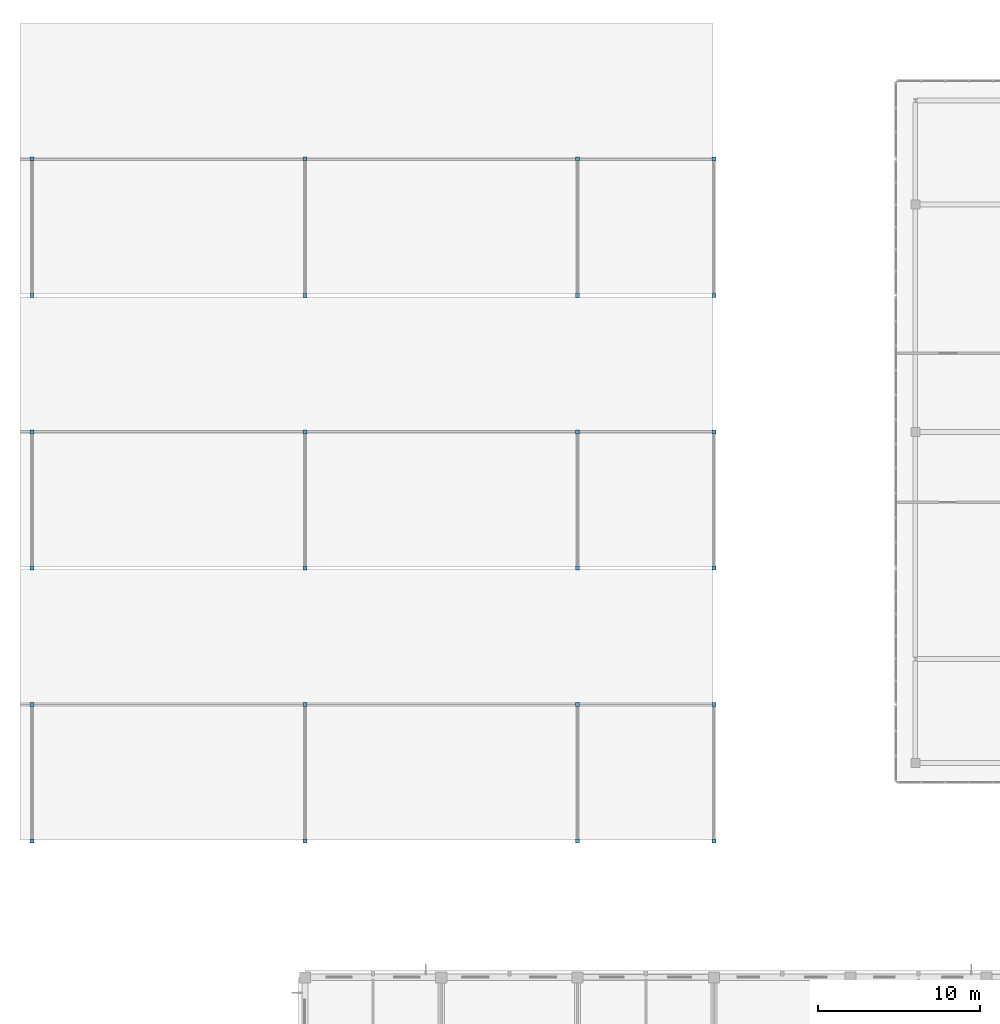
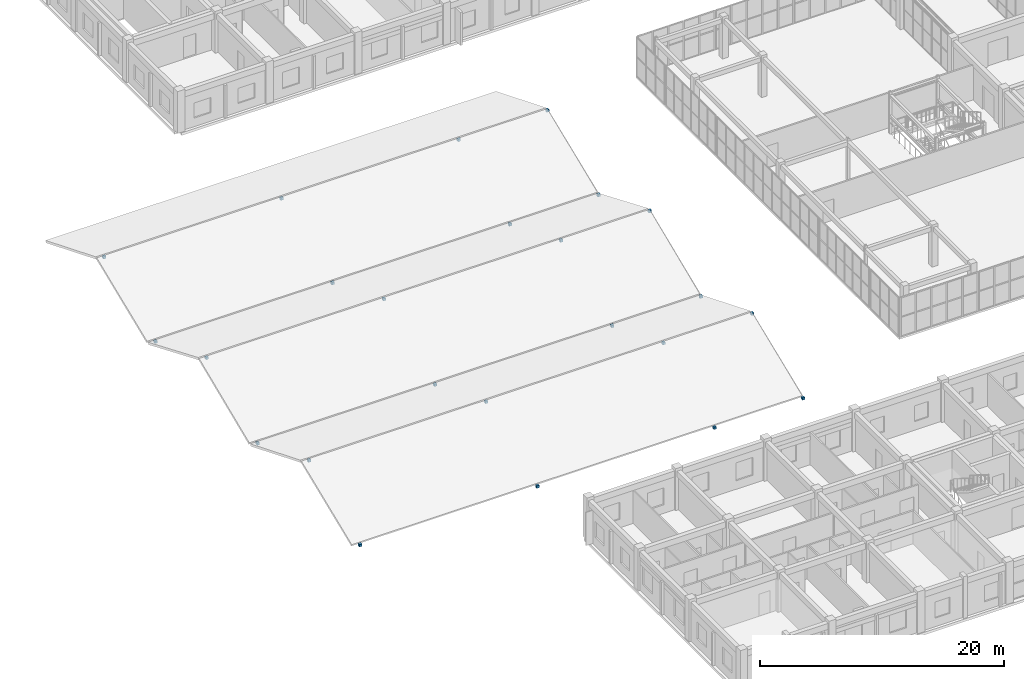
# One storey, part 127 of 140: 24 discrete accessories.
"""IFC4 building model written with IfcOpenShell, lengths in metres."""

import ifcopenshell
import ifcopenshell.guid

model = None  # the IFC model being written
_history = None  # IfcOwnerHistory: only IFC2X3 demands one
_inside = {}  # id of a spatial element -> (the spatial element, [elements in it])
_under = {}  # id of a project, library or spatial element -> (it, [spatial elements below it])
_declared = {}  # id of a project -> (the project, [libraries it declares])
_typed = {}  # id of a type object -> (the type object, [elements of that type])
_made_of = {}  # id of a material, layer set ... -> (it, [elements and type objects made of it])


def new_model(schema):
    """Start an empty IFC model of exactly this schema.

    Asked for "IFC4X3", IfcOpenShell would pick the latest addendum, in which some entities
    have other attributes; the version numbers below select the first issue.
    IFC2X3 requires an IfcOwnerHistory on every rooted entity: one is made here for all.
    """
    global model, _history
    if schema == "IFC4X3":
        model = ifcopenshell.file(schema_version=(4, 3, 0, 0))
    else:
        model = ifcopenshell.file(schema=schema)
    _inside.clear()
    _under.clear()
    _declared.clear()
    _typed.clear()
    _made_of.clear()
    _history = None
    if model.schema == "IFC2X3":
        org = make("IfcOrganization", Name="unknown")
        user = make(
            "IfcPersonAndOrganization",
            ThePerson=make("IfcPerson", FamilyName="unknown"),
            TheOrganization=org,
        )
        app = make(
            "IfcApplication",
            ApplicationDeveloper=org,
            Version="unknown",
            ApplicationFullName="unknown",
            ApplicationIdentifier="unknown",
        )
        _history = make(
            "IfcOwnerHistory",
            OwningUser=user,
            OwningApplication=app,
            ChangeAction="ADDED",
            CreationDate=0,
        )
    return model


def make(cls, **values):
    """One entity of the class cls with the attributes given. An attribute that is None is left unset."""
    return model.create_entity(
        cls, **{name: value for name, value in values.items() if value is not None}
    )


def rooted(cls, **values):
    """An entity with a GlobalId (a new one), such as an element, a storey or a relation."""
    return make(cls, GlobalId=ifcopenshell.guid.new(), OwnerHistory=_history, **values)


def si_unit(unit_type, name, prefix=None):
    """IfcSIUnit, for example si_unit("LENGTHUNIT", "METRE", prefix="MILLI")."""
    return make("IfcSIUnit", UnitType=unit_type, Prefix=prefix, Name=name)


def assignment(units):
    """IfcUnitAssignment: the units of a project."""
    return None if units is None else make("IfcUnitAssignment", Units=units)


def point(xyz):
    """IfcCartesianPoint."""
    return None if xyz is None else make("IfcCartesianPoint", Coordinates=xyz)


def direction(xyz):
    """IfcDirection."""
    return None if xyz is None else make("IfcDirection", DirectionRatios=xyz)


def frame(location, z_axis=None, x_axis=None):
    """IfcAxis2Placement3D, a coordinate frame: its origin and axes. An axis left out is left unset."""
    return make(
        "IfcAxis2Placement3D",
        Location=point(location),
        Axis=direction(z_axis),
        RefDirection=direction(x_axis),
    )


def frame_2d(location, x_axis=None):
    """IfcAxis2Placement2D, a coordinate frame in the plane: its origin and x axis."""
    return make(
        "IfcAxis2Placement2D", Location=point(location), RefDirection=direction(x_axis)
    )


def origin():
    """The frame at (0, 0, 0) with its axes left unset."""
    return frame((0.0, 0.0, 0.0))


def origin_2d():
    """The frame at (0, 0) in the plane with its x axis left unset."""
    return frame_2d((0.0, 0.0))


def place(relative_to, where):
    """IfcLocalPlacement: puts the frame where relative to a parent placement (None: the world)."""
    return make(
        "IfcLocalPlacement", PlacementRelTo=relative_to, RelativePlacement=where
    )


def context(
    kind, dimensions, precision=None, world=None, true_north=None, identifier=None
):
    """IfcGeometricRepresentationContext, for example the 3D "Model" context."""
    return make(
        "IfcGeometricRepresentationContext",
        ContextIdentifier=identifier,
        ContextType=kind,
        CoordinateSpaceDimension=dimensions,
        Precision=precision,
        WorldCoordinateSystem=world,
        TrueNorth=true_north,
    )


def subcontext(parent, identifier, kind, view, scale=None):
    """IfcGeometricRepresentationSubContext, for example "Body" below "Model"."""
    return make(
        "IfcGeometricRepresentationSubContext",
        ContextIdentifier=identifier,
        ContextType=kind,
        ParentContext=parent,
        TargetScale=scale,
        TargetView=view,
    )


def project(units=None, contexts=None):
    """IfcProject with its units and contexts."""
    return rooted(
        "IfcProject",
        Name="project",
        RepresentationContexts=contexts,
        UnitsInContext=assignment(units),
    )


def spatial(cls, under=None, at=None, **own):
    """A site, building, storey or space (cls), placed at a placement, below another one or the project."""
    s = rooted(cls, ObjectPlacement=at, **own)
    if under is not None:
        _under.setdefault(under.id(), (under, []))[1].append(s)
    return s


def profile(cls, at=None, kind="AREA", **sizes):
    """A parametric profile (cls). Its sizes go by their IFC names, for example OverallWidth=200.0."""
    return make(cls, ProfileType=kind, Position=at, **sizes)


def rectangle(**sizes):
    """IfcRectangleProfileDef."""
    return profile("IfcRectangleProfileDef", **sizes)


def extrude(swept, where, along, depth):
    """IfcExtrudedAreaSolid: the profile swept, set in the frame where, extruded along a direction by depth."""
    return make(
        "IfcExtrudedAreaSolid",
        SweptArea=swept,
        Position=where,
        ExtrudedDirection=direction(along),
        Depth=depth,
    )


def shape(context_of_items, identifier, shape_type, items):
    """IfcShapeRepresentation: the items that make up one representation, for example the "Body"."""
    return make(
        "IfcShapeRepresentation",
        ContextOfItems=context_of_items,
        RepresentationIdentifier=identifier,
        RepresentationType=shape_type,
        Items=items,
    )


def material(Name=None, Category=None):
    """IfcMaterial."""
    return make("IfcMaterial", Name=Name, Category=Category)


def made_of(thing, what):
    """Note that an element or type object is made of a material, layer set ...; save() writes the relation."""
    if what is not None:
        _made_of.setdefault(what.id(), (what, []))[1].append(thing)
    return thing


def type_object(cls, material=None, **own):
    """A type object (cls), such as IfcWallType, which elements share."""
    return made_of(rooted(cls, **own), material)


def element(
    cls,
    number,
    at=None,
    inside=None,
    cuts=None,
    type_object=None,
    material=None,
    context=None,
    identifier="Body",
    shape_type=None,
    held_by="IfcProductDefinitionShape",
    body=None,
    shapes=None,
    **own,
):
    """One element of the class cls, such as IfcWall. Its Tag is "e" and its number.

    at: its placement. inside: the storey or other place that contains it. cuts: it is an
    opening in that element (IfcRelVoidsElement). A single representation is given by context,
    identifier, shape_type and body (its items); several are given by shapes. held_by: the class
    of the entity that holds the representations. save() writes the other relations.
    """
    e = rooted(cls, Tag="e%d" % number, ObjectPlacement=at, **own)
    if body is not None:
        shapes = [shape(context, identifier, shape_type, body)]
    if shapes is not None:
        e.Representation = make(held_by, Representations=shapes)
    if inside is not None:
        _inside.setdefault(inside.id(), (inside, []))[1].append(e)
    if cuts is not None:
        rooted(
            "IfcRelVoidsElement", RelatingBuildingElement=cuts, RelatedOpeningElement=e
        )
    if type_object is not None:
        _typed.setdefault(type_object.id(), (type_object, []))[1].append(e)
    return made_of(e, material)


def aggregate(whole, parts):
    """IfcRelAggregates: a whole, such as a stair, and the parts it consists of."""
    return rooted("IfcRelAggregates", RelatingObject=whole, RelatedObjects=parts)


def save(model, path):
    """Write the relations noted so far, then the file.

    IfcRelAggregates (storeys below a building ...), IfcRelContainedInSpatialStructure (elements
    in a storey), IfcRelDefinesByType, IfcRelAssociatesMaterial and IfcRelDeclares: one each for
    every whole, place, type object, material and project.
    """
    for whole, parts in _under.values():
        aggregate(whole, parts)
    for where, things in _inside.values():
        rooted(
            "IfcRelContainedInSpatialStructure",
            RelatedElements=things,
            RelatingStructure=where,
        )
    for kind, things in _typed.values():
        rooted("IfcRelDefinesByType", RelatedObjects=things, RelatingType=kind)
    for what, things in _made_of.values():
        rooted("IfcRelAssociatesMaterial", RelatedObjects=things, RelatingMaterial=what)
    for by, libraries in _declared.values():
        rooted("IfcRelDeclares", RelatingContext=by, RelatedDefinitions=libraries)
    model.write(path)


model = new_model("IFC4")

# Units and contexts
model_context = context("Model", 3, precision=1e-05, world=origin(), true_north=direction((0.0, 1.0)))
body_context = subcontext(model_context, "Body", "Model", "MODEL_VIEW")
ifc_project = project(units=[si_unit("LENGTHUNIT", "METRE"), si_unit("AREAUNIT", "SQUARE_METRE"), si_unit("VOLUMEUNIT", "CUBIC_METRE"), si_unit("PLANEANGLEUNIT", "RADIAN"), si_unit("MASSUNIT", "GRAM", prefix="KILO")], contexts=[model_context])

# Site, building, storey
site_placement = place(None, origin())
site = spatial("IfcSite", under=ifc_project, at=site_placement, CompositionType="ELEMENT")
building_placement = place(site_placement, origin())
building = spatial("IfcBuilding", under=site, at=building_placement, Name="Trelvath General Hospital", CompositionType="ELEMENT")
storey_placement = place(building_placement, frame((0.0, 0.0, 16.199951171875)))
storey = spatial("IfcBuildingStorey", under=building, at=storey_placement, Name="L04", CompositionType="ELEMENT", Elevation=16.199951171875)

# Discrete accessories
ifc_material = material(Name="Steel S355", Category="steel")
discrete_accessory_type = type_object("IfcDiscreteAccessoryType", Name="FacadeBracket S355", PredefinedType="BRACKET", material=ifc_material)
for number, where, z_axis, x_axis, name in (
    (1, (0.0, 33.60009765625, -0.1201171875), (0.0, 0.0, 1.0), (1.0, 0.0, 0.0), "Surgical Sawtooth Shell Strut Node 19-A"),
    (2, (0.0, 42.0, 3.26025390625), (0.0, 0.0, 1.0), (1.0, 0.0, 0.0), "Surgical Sawtooth Shell Strut Node 19-B"),
    (3, (16.800048828125, 33.60009765625, -0.1201171875), (0.0, 0.0, 1.0), (1.0, 0.0, 0.0), "Surgical Sawtooth Shell Strut Node 20-A"),
    (4, (16.800048828125, 42.0, 3.26025390625), (0.0, 0.0, 1.0), (1.0, 0.0, 0.0), "Surgical Sawtooth Shell Strut Node 20-B"),
    (5, (33.60009765625, 33.60009765625, -0.1201171875), (0.0, 0.0, 1.0), (1.0, 0.0, 0.0), "Surgical Sawtooth Shell Strut Node 21-A"),
    (6, (33.60009765625, 42.0, 3.26025390625), (0.0, 0.0, 1.0), (1.0, 0.0, 0.0), "Surgical Sawtooth Shell Strut Node 21-B"),
    (7, (42.0, 33.60009765625, -0.1201171875), (0.0, 0.0, 1.0), (1.0, 0.0, 0.0), "Surgical Sawtooth Shell Strut Node 22-A"),
    (8, (42.0, 42.0, 3.26025390625), (0.0, 0.0, 1.0), (1.0, 0.0, 0.0), "Surgical Sawtooth Shell Strut Node 22-B"),
    (9, (0.0, 50.39990234375, -0.1201171875), (0.0, 0.0, 1.0), (1.0, 0.0, 0.0), "Surgical Sawtooth Shell Strut Node 23-A"),
    (10, (0.0, 58.800048828125, 3.35986328125), (0.0, 0.0, 1.0), (1.0, 0.0, 0.0), "Surgical Sawtooth Shell Strut Node 23-B"),
    (11, (16.800048828125, 50.39990234375, -0.1201171875), (0.0, 0.0, 1.0), (1.0, 0.0, 0.0), "Surgical Sawtooth Shell Strut Node 24-A"),
    (12, (16.800048828125, 58.800048828125, 3.35986328125), (0.0, 0.0, 1.0), (1.0, 0.0, 0.0), "Surgical Sawtooth Shell Strut Node 24-B"),
    (13, (33.60009765625, 50.39990234375, -0.1201171875), (0.0, 0.0, 1.0), (1.0, 0.0, 0.0), "Surgical Sawtooth Shell Strut Node 25-A"),
    (14, (33.60009765625, 58.800048828125, 3.35986328125), (0.0, 0.0, 1.0), (1.0, 0.0, 0.0), "Surgical Sawtooth Shell Strut Node 25-B"),
    (15, (42.0, 50.39990234375, -0.1201171875), (0.0, 0.0, 1.0), (1.0, 0.0, 0.0), "Surgical Sawtooth Shell Strut Node 26-A"),
    (16, (42.0, 58.800048828125, 3.35986328125), (0.0, 0.0, 1.0), (1.0, 0.0, 0.0), "Surgical Sawtooth Shell Strut Node 26-B"),
    (17, (0.0, 67.199951171875, -0.1201171875), (0.0, 0.0, 1.0), (1.0, 0.0, 0.0), "Surgical Sawtooth Shell Strut Node 27-A"),
    (18, (0.0, 75.60009765625, 3.26025390625), (0.0, 0.0, 1.0), (1.0, 0.0, 0.0), "Surgical Sawtooth Shell Strut Node 27-B"),
    (19, (16.800048828125, 67.199951171875, -0.1201171875), (0.0, 0.0, 1.0), (1.0, 0.0, 0.0), "Surgical Sawtooth Shell Strut Node 28-A"),
    (20, (16.800048828125, 75.60009765625, 3.26025390625), (0.0, 0.0, 1.0), (1.0, 0.0, 0.0), "Surgical Sawtooth Shell Strut Node 28-B"),
    (21, (33.60009765625, 67.199951171875, -0.1201171875), (0.0, 0.0, 1.0), (1.0, 0.0, 0.0), "Surgical Sawtooth Shell Strut Node 29-A"),
    (22, (33.60009765625, 75.60009765625, 3.26025390625), (0.0, 0.0, 1.0), (1.0, 0.0, 0.0), "Surgical Sawtooth Shell Strut Node 29-B"),
    (23, (42.0, 67.199951171875, -0.1201171875), (0.0, 0.0, 1.0), (1.0, 0.0, 0.0), "Surgical Sawtooth Shell Strut Node 30-A"),
    (24, (42.0, 75.60009765625, 3.26025390625), (0.0, 0.0, 1.0), (1.0, 0.0, 0.0), "Surgical Sawtooth Shell Strut Node 30-B"),
):
    element("IfcDiscreteAccessory", number, at=place(storey_placement, frame(where, z_axis=z_axis, x_axis=x_axis)), inside=storey, type_object=discrete_accessory_type, Name=name, PredefinedType="BRACKET", context=body_context, shape_type="SweptSolid", body=[
        extrude(rectangle(XDim=0.239990234375, YDim=0.239990234375, at=origin_2d()), origin(), (0.0, 0.0, 1.0), 0.239990234375),
    ])

save(model, "model.ifc")
